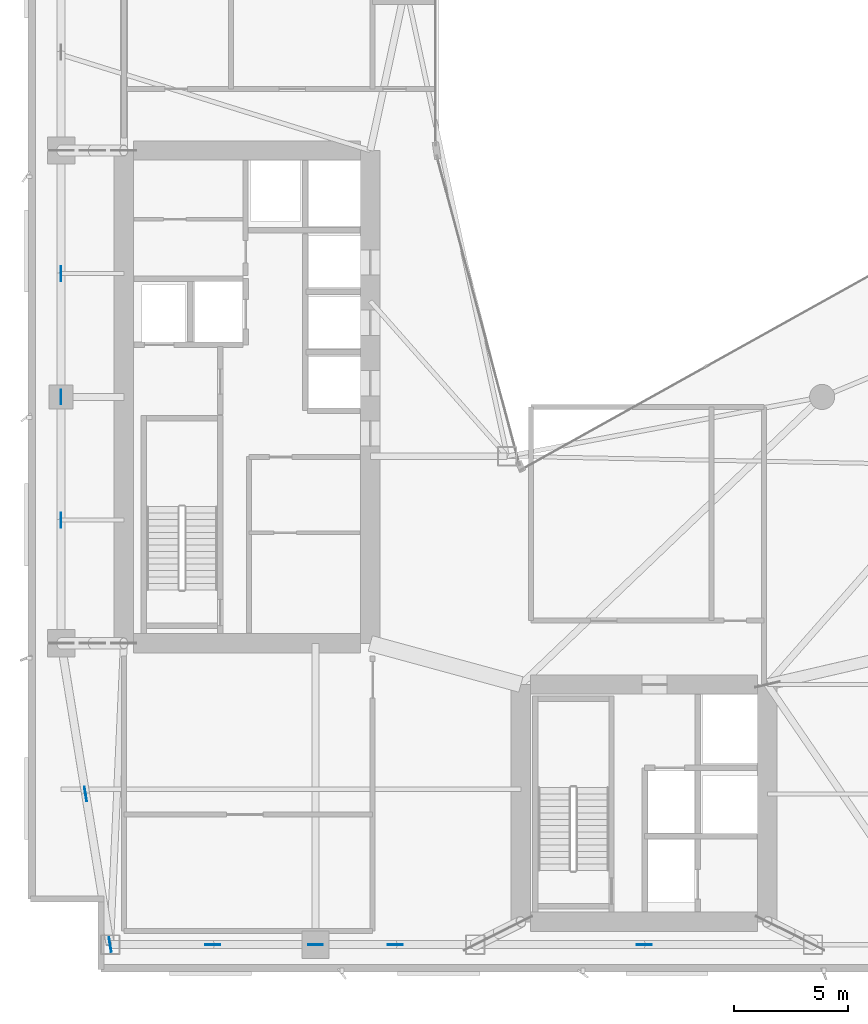
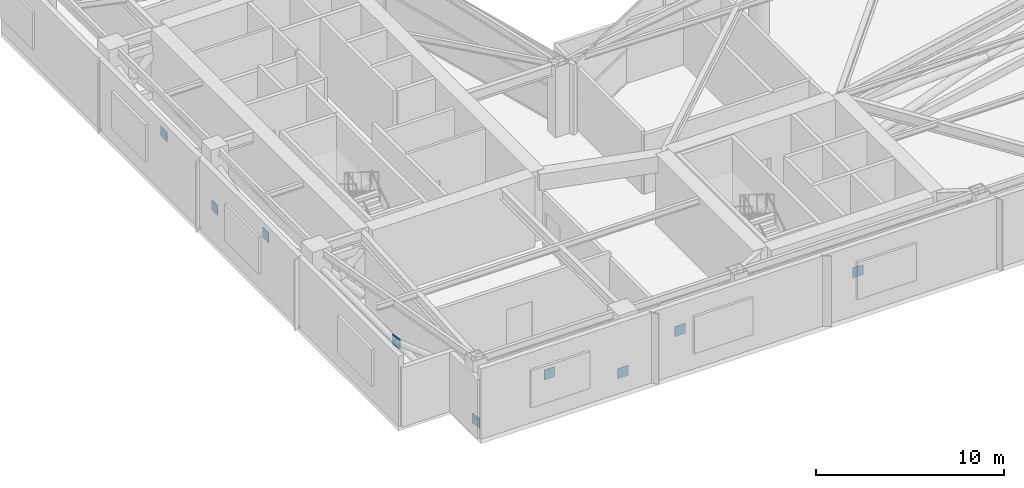
# One storey, part 12 of 19: 9 plates.
"""IFC4 building model written with IfcOpenShell, lengths in metres."""

from ifc_helpers import new_model, si_unit, direction, frame, origin, origin_2d, place, context, subcontext, project, spatial, rectangle, extrude, material, layer, layer_set, type_object, element, save


model = new_model("IFC4")

# Units and contexts
model_context = context("Model", 3, precision=1e-05, world=origin(), true_north=direction((0.0, 1.0)))
body_context = subcontext(model_context, "Body", "Model", "MODEL_VIEW")
ifc_project = project(units=[si_unit("LENGTHUNIT", "METRE"), si_unit("AREAUNIT", "SQUARE_METRE"), si_unit("VOLUMEUNIT", "CUBIC_METRE"), si_unit("PLANEANGLEUNIT", "RADIAN"), si_unit("MASSUNIT", "GRAM", prefix="KILO")], contexts=[model_context])

# Site, building, storey
site_placement = place(None, origin())
site = spatial("IfcSite", under=ifc_project, at=site_placement, CompositionType="ELEMENT")
building_placement = place(site_placement, origin())
building = spatial("IfcBuilding", under=site, at=building_placement, Name="Calvorn Quay Hotel", CompositionType="ELEMENT")
storey_placement = place(building_placement, frame((0.0, 0.0, 139.199951171875)))
storey = spatial("IfcBuildingStorey", under=building, at=storey_placement, Name="L34", CompositionType="ELEMENT", Elevation=139.199951171875)

# Plates
ifc_material = material(Name="Steel Q390GJC", Category="steel")
ifc_layer = layer(ifc_material, 0.035888671875)
ifc_layer_set = layer_set([ifc_layer], Name="PLT-GUSSET-36")
plate_type = type_object("IfcPlateType", Name="PLT-GUSSET-36", PredefinedType="SHEET", material=ifc_layer_set)
for number, where, z_axis, x_axis, name in (
    (1, (3.60009765625, 3.60009765625, 0.025146484375), (0.0, 0.0, 1.0), (-0.160742565604, 0.98699636656, 0.0), "Belt Truss Gusset Plate L34-BW1-A"),
    (2, (2.52490234375, 10.199951171875, 1.52001953125), (0.0, 0.0, 1.0), (-0.160742565604, 0.98699636656, 0.0), "Belt Truss Gusset Plate L34-BW1-X"),
    (3, (1.449951171875, 22.199951171875, 1.52001953125), (0.0, 0.0, 1.0), (0.0, 1.0, 0.0), "Belt Truss Gusset Plate L34-BW2-X"),
    (4, (1.449951171875, 27.60009765625, 0.025146484375), (0.0, 0.0, 1.0), (0.0, 1.0, 0.0), "Belt Truss Gusset Plate L34-BW2-B"),
    (5, (1.449951171875, 33.0, 1.52001953125), (0.0, 0.0, 1.0), (0.0, 1.0, 0.0), "Belt Truss Gusset Plate L34-BW3-X"),
    (6, (8.10009765625, 3.60009765625, 1.52001953125), (0.0, 0.0, 1.0), (1.0, 0.0, 0.0), "Belt Truss Gusset Plate L34-BS1-X"),
    (7, (12.60009765625, 3.60009765625, 0.025146484375), (0.0, 0.0, 1.0), (1.0, 0.0, 0.0), "Belt Truss Gusset Plate L34-BS1-B"),
    (8, (16.10009765625, 3.60009765625, 1.52001953125), (0.0, 0.0, 1.0), (1.0, 0.0, 0.0), "Belt Truss Gusset Plate L34-BS2-X"),
    (9, (27.0, 3.60009765625, 1.52001953125), (0.0, 0.0, 1.0), (1.0, 0.0, 0.0), "Belt Truss Gusset Plate L34-BS3-X"),
):
    element("IfcPlate", number, at=place(storey_placement, frame(where, z_axis=z_axis, x_axis=x_axis)), inside=storey, type_object=plate_type, Name=name, PredefinedType="SHEET", context=body_context, shape_type="SweptSolid", body=[
        extrude(rectangle(XDim=0.64990234375, YDim=0.035888671875, at=origin_2d()), origin(), (0.0, 0.0, 1.0), 0.64990234375),
    ])

save(model, "model.ifc")
